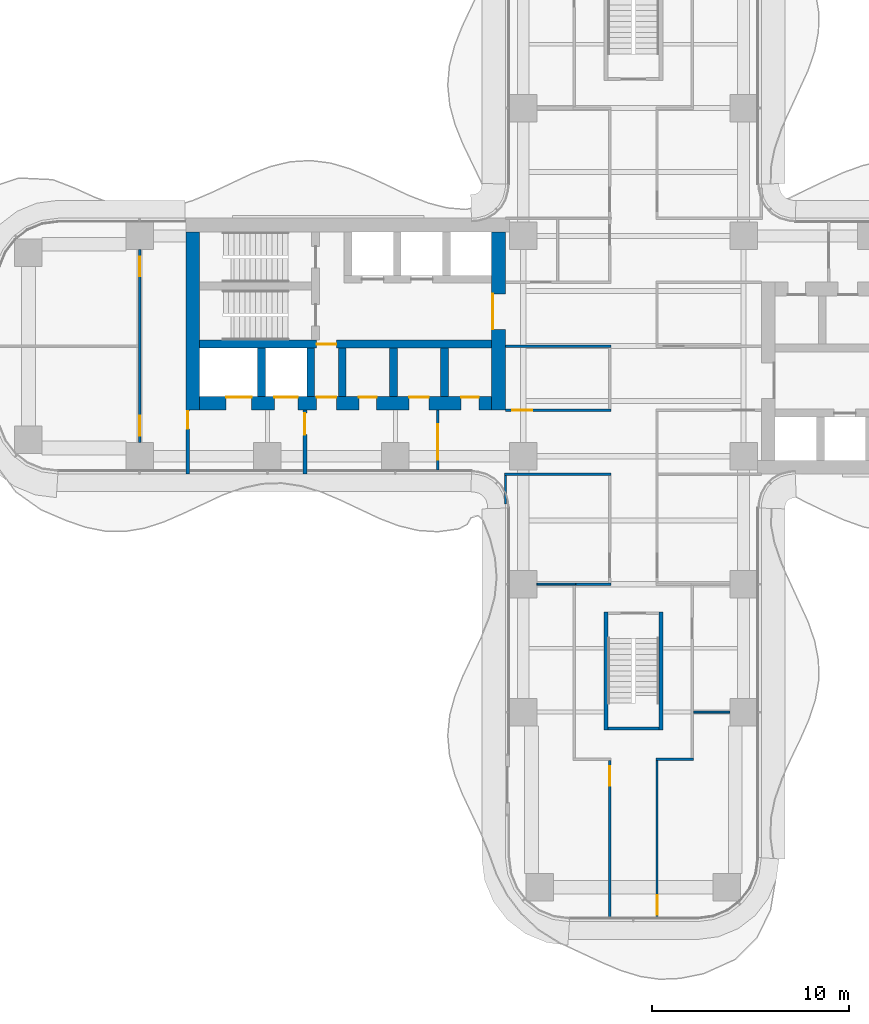
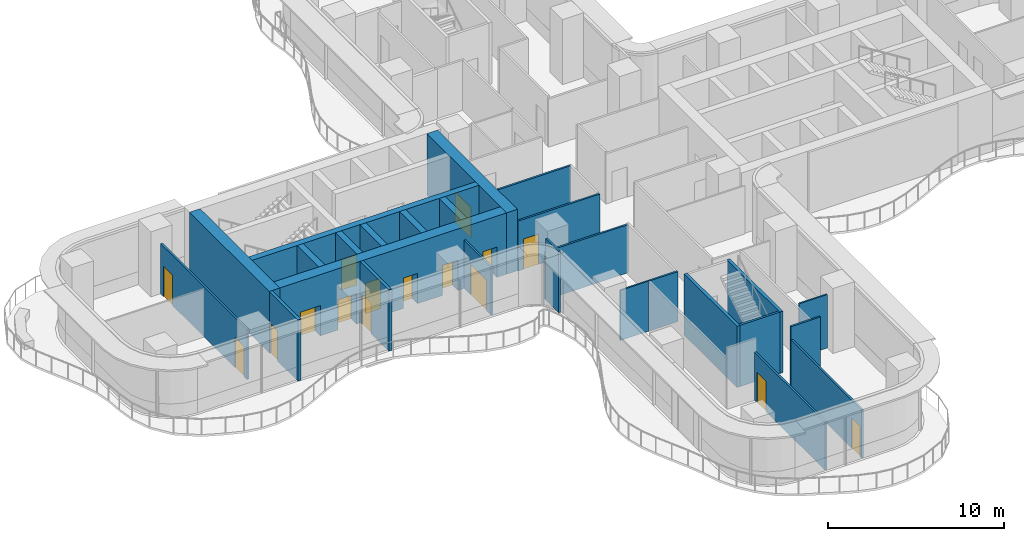
# One storey, part 17 of 22: 26 walls, 16 doors, 16 openings.
"""IFC4 building model written with IfcOpenShell, lengths in metres."""

from ifc_helpers import new_model, si_unit, direction, frame, frame_2d, origin, place, context, subcontext, project, spatial, rectangle, extrude, source, transform, mapped, material, layer, layer_set, type_object, element, fill, save


model = new_model("IFC4")

# Units and contexts
model_context = context("Model", 3, precision=1e-05, world=origin(), true_north=direction((0.0, 1.0)))
body_context = subcontext(model_context, "Body", "Model", "MODEL_VIEW")
ifc_project = project(units=[si_unit("LENGTHUNIT", "METRE"), si_unit("AREAUNIT", "SQUARE_METRE"), si_unit("VOLUMEUNIT", "CUBIC_METRE"), si_unit("PLANEANGLEUNIT", "RADIAN"), si_unit("MASSUNIT", "GRAM", prefix="KILO")], contexts=[model_context])

# Site, building, storey
site_placement = place(None, origin())
site = spatial("IfcSite", under=ifc_project, at=site_placement, CompositionType="ELEMENT")
building_placement = place(site_placement, origin())
building = spatial("IfcBuilding", under=site, at=building_placement, Name="Trellis Farm Tower", CompositionType="ELEMENT")
storey_placement = place(building_placement, frame((0.0, 0.0, 61.0)))
storey = spatial("IfcBuildingStorey", under=building, at=storey_placement, Name="L12", CompositionType="ELEMENT", Elevation=61.0)

# Wall, opening, door
ifc_material_1 = material(Name="Concrete C80/95", Category="concrete")
ifc_layer_1 = layer(ifc_material_1, 0.699951171875)
ifc_layer_set_1 = layer_set([ifc_layer_1], Name="CORE OUTER WALL 700 CONCRETE C80/95")
wall_type_1 = type_object("IfcWallType", Name="CORE OUTER WALL 700 CONCRETE C80/95", PredefinedType="SHEAR", material=ifc_layer_set_1)
shared_shape_1 = source(origin(), body_context, "Body", "SweptSolid", [
    extrude(rectangle(XDim=9.050048828125, YDim=0.699951171875, at=frame_2d((4.52490234375, 0.0))), origin(), (0.0, 0.0, 1.0), 4.25),
])
wall_1_placement = place(storey_placement, frame((-6.85009765625, 5.800048828125, 0.0), z_axis=(0.0, 0.0, 1.0), x_axis=(0.0, -1.0, 0.0)))
wall_1 = element("IfcWall", 1, at=wall_1_placement, inside=storey, type_object=wall_type_1, Name="Core wall", PredefinedType="SHEAR", context=body_context, shape_type="MappedRepresentation", body=[
    mapped(shared_shape_1, transform((0.0, 0.0, 0.0))),
])
shared_shape_2 = source(origin(), body_context, "Body", "SweptSolid", [
    extrude(rectangle(XDim=1.800048828125, YDim=2.10009765625, at=frame_2d((0.89990234375, 1.050048828125))), frame((0.0, 0.360107421875, 0.0), z_axis=(0.0, -1.0, 0.0), x_axis=(1.0, 0.0, 0.0)), (0.0, 0.0, 1.0), 0.72021484375),
])
opening_1_placement = place(wall_1_placement, frame((3.14990234375, 0.0, 0.0)))
opening_1 = element("IfcOpeningElement", 2, at=opening_1_placement, cuts=wall_1, Name="Opening DC87", PredefinedType="OPENING", context=body_context, shape_type="MappedRepresentation", body=[
    mapped(shared_shape_2, transform((0.0, 0.0, 0.0))),
])
ifc_material_2 = material(Name="Steel", Category="steel")
door_type_1 = type_object("IfcDoorType", Name="CORE FIRE DOOR DOUBLE 1800 X 2100", OperationType="DOUBLE_DOOR_SINGLE_SWING", PredefinedType="DOOR", material=ifc_material_2)
shared_shape_3 = source(origin(), body_context, "Body", "SweptSolid", [
    extrude(rectangle(XDim=1.800048828125, YDim=2.10009765625, at=frame_2d((0.89990234375, 1.050048828125))), frame((0.0, -0.27490234375, 0.0), z_axis=(0.0, -1.0, 0.0), x_axis=(1.0, 0.0, 0.0)), (0.0, 0.0, 1.0), 0.050048828125),
])
door_1_placement = place(opening_1_placement, origin())
door_1 = element("IfcDoor", 3, at=door_1_placement, inside=storey, type_object=door_type_1, Name="Core door", OperationType="DOUBLE_DOOR_SINGLE_SWING", OverallHeight=2.10009765625, OverallWidth=1.800048828125, PredefinedType="DOOR", context=body_context, shape_type="MappedRepresentation", body=[
    mapped(shared_shape_3, transform((0.0, 0.0, 0.0))),
])
fill(opening_1, door_1)

# Walls
wall_2_placement = place(storey_placement, frame((-22.39990234375, 5.800048828125, 0.0), z_axis=(0.0, 0.0, 1.0), x_axis=(0.0, -1.0, 0.0)))
element("IfcWall", 4, at=wall_2_placement, inside=storey, type_object=wall_type_1, Name="Core wall", PredefinedType="SHEAR", context=body_context, shape_type="MappedRepresentation", body=[
    mapped(shared_shape_1, transform((0.0, 0.0, 0.0))),
])
ifc_layer_2 = layer(ifc_material_1, 0.39990234375)
ifc_layer_set_2 = layer_set([ifc_layer_2], Name="CORE INNER WALL 400 CONCRETE C80/95")
wall_type_2 = type_object("IfcWallType", Name="CORE INNER WALL 400 CONCRETE C80/95", PredefinedType="SHEAR", material=ifc_layer_set_2)
shared_shape_4 = source(origin(), body_context, "Body", "SweptSolid", [
    extrude(rectangle(XDim=2.449951171875, YDim=0.39990234375, at=frame_2d((1.22509765625, 0.0))), origin(), (0.0, 0.0, 1.0), 4.25),
])
for number, where, z_axis, x_axis, name in (
    (5, (-9.60009765625, -0.10009765625, 0.0), (0.0, 0.0, 1.0), (0.0, -1.0, 0.0), "Core wall"),
    (6, (-12.199951171875, -0.10009765625, 0.0), (0.0, 0.0, 1.0), (0.0, -1.0, 0.0), "Core wall"),
    (7, (-14.800048828125, -0.10009765625, 0.0), (0.0, 0.0, 1.0), (0.0, -1.0, 0.0), "Core wall"),
    (8, (-16.39990234375, -0.10009765625, 0.0), (0.0, 0.0, 1.0), (0.0, -1.0, 0.0), "Core wall"),
    (9, (-18.89990234375, -0.10009765625, 0.0), (0.0, 0.0, 1.0), (0.0, -1.0, 0.0), "Core wall"),
):
    element("IfcWall", number, at=place(storey_placement, frame(where, z_axis=z_axis, x_axis=x_axis)), inside=storey, type_object=wall_type_2, Name=name, PredefinedType="SHEAR", context=body_context, shape_type="MappedRepresentation", body=[
        mapped(shared_shape_4, transform((0.0, 0.0, 0.0))),
    ])

# Wall, opening, door
ifc_material_3 = material(Name="Masonry blockwork", Category="masonry")
ifc_layer_3 = layer(ifc_material_3, 0.199951171875)
ifc_layer_set_3 = layer_set([ifc_layer_3], Name="FIRE LOBBY PARTITION 200 BLOCKWORK")
wall_type_3 = type_object("IfcWallType", Name="FIRE LOBBY PARTITION 200 BLOCKWORK", PredefinedType="PARTITIONING", material=ifc_layer_set_3)
shared_shape_5 = source(origin(), body_context, "Body", "SweptSolid", [
    extrude(rectangle(XDim=3.25, YDim=0.199951171875, at=frame_2d((1.625, 0.0))), origin(), (0.0, 0.0, 1.0), 4.25),
])
wall_3_placement = place(storey_placement, frame((-16.699951171875, -3.25, 0.0), z_axis=(0.0, 0.0, 1.0), x_axis=(0.0, -1.0, 0.0)))
wall_3 = element("IfcWall", 10, at=wall_3_placement, inside=storey, type_object=wall_type_3, Name="Fire-fighting lobby partition", PredefinedType="PARTITIONING", context=body_context, shape_type="MappedRepresentation", body=[
    mapped(shared_shape_5, transform((0.0, 0.0, 0.0))),
])
shared_shape_6 = source(origin(), body_context, "Body", "SweptSolid", [
    extrude(rectangle(XDim=1.10009765625, YDim=2.10009765625, at=frame_2d((0.550048828125, 1.050048828125))), frame((0.0, 0.110107421875, 0.0), z_axis=(0.0, -1.0, 0.0), x_axis=(1.0, 0.0, 0.0)), (0.0, 0.0, 1.0), 0.22021484375),
])
opening_2_placement = place(wall_3_placement, frame((0.14990234375, 0.0, 0.0)))
opening_2 = element("IfcOpeningElement", 11, at=opening_2_placement, cuts=wall_3, Name="Opening DC93", PredefinedType="OPENING", context=body_context, shape_type="MappedRepresentation", body=[
    mapped(shared_shape_6, transform((0.0, 0.0, 0.0))),
])
door_type_2 = type_object("IfcDoorType", Name="CORE FIRE DOOR 1100 X 2100", OperationType="NOTDEFINED", PredefinedType="DOOR", material=ifc_material_2)
shared_shape_7 = source(origin(), body_context, "Body", "SweptSolid", [
    extrude(rectangle(XDim=1.10009765625, YDim=2.10009765625, at=frame_2d((0.550048828125, 1.050048828125))), frame((0.0, 0.02490234375, 0.0), z_axis=(0.0, -1.0, 0.0), x_axis=(1.0, 0.0, 0.0)), (0.0, 0.0, 1.0), 0.050048828125),
])
door_2_placement = place(opening_2_placement, origin())
door_2 = element("IfcDoor", 12, at=door_2_placement, inside=storey, type_object=door_type_2, Name="Core door", OperationType="SINGLE_SWING_RIGHT", OverallHeight=2.10009765625, OverallWidth=1.10009765625, PredefinedType="DOOR", context=body_context, shape_type="MappedRepresentation", body=[
    mapped(shared_shape_7, transform((0.0, 0.0, 0.0))),
])
fill(opening_2, door_2)

wall_4_placement = place(storey_placement, frame((-22.64990234375, -3.25, 0.0), z_axis=(0.0, 0.0, 1.0), x_axis=(0.0, -1.0, 0.0)))
wall_4 = element("IfcWall", 13, at=wall_4_placement, inside=storey, type_object=wall_type_3, Name="Fire-fighting lobby partition", PredefinedType="PARTITIONING", context=body_context, shape_type="MappedRepresentation", body=[
    mapped(shared_shape_5, transform((0.0, 0.0, 0.0))),
])
shared_shape_8 = source(origin(), body_context, "Body", "SweptSolid", [
    extrude(rectangle(XDim=0.89990234375, YDim=2.10009765625, at=frame_2d((0.449951171875, 1.050048828125))), frame((0.0, 0.110107421875, 0.0), z_axis=(0.0, -1.0, 0.0), x_axis=(1.0, 0.0, 0.0)), (0.0, 0.0, 1.0), 0.22021484375),
])
opening_3_placement = place(wall_4_placement, frame((0.050048828125, 0.0, 0.0)))
opening_3 = element("IfcOpeningElement", 14, at=opening_3_placement, cuts=wall_4, Name="Opening DC94", PredefinedType="OPENING", context=body_context, shape_type="MappedRepresentation", body=[
    mapped(shared_shape_8, transform((0.0, 0.0, 0.0))),
])
door_type_3 = type_object("IfcDoorType", Name="CORE FIRE DOOR 900 X 2100", OperationType="NOTDEFINED", PredefinedType="DOOR", material=ifc_material_2)
shared_shape_9 = source(origin(), body_context, "Body", "SweptSolid", [
    extrude(rectangle(XDim=0.89990234375, YDim=2.10009765625, at=frame_2d((0.449951171875, 1.050048828125))), frame((0.0, 0.02490234375, 0.0), z_axis=(0.0, -1.0, 0.0), x_axis=(1.0, 0.0, 0.0)), (0.0, 0.0, 1.0), 0.050048828125),
])
door_3_placement = place(opening_3_placement, origin())
door_3 = element("IfcDoor", 15, at=door_3_placement, inside=storey, type_object=door_type_3, Name="Core door", OperationType="SINGLE_SWING_RIGHT", OverallHeight=2.10009765625, OverallWidth=0.89990234375, PredefinedType="DOOR", context=body_context, shape_type="MappedRepresentation", body=[
    mapped(shared_shape_9, transform((0.0, 0.0, 0.0))),
])
fill(opening_3, door_3)

# Wall, openings, doors
shared_shape_10 = source(origin(), body_context, "Body", "SweptSolid", [
    extrude(rectangle(XDim=14.85009765625, YDim=0.699951171875, at=frame_2d((7.425048828125, 0.0))), origin(), (0.0, 0.0, 1.0), 4.25),
])
wall_5_placement = place(storey_placement, frame((-7.199951171875, -2.89990234375, 0.0), z_axis=(0.0, 0.0, 1.0), x_axis=(-1.0, 0.0, 0.0)))
wall_5 = element("IfcWall", 16, at=wall_5_placement, inside=storey, type_object=wall_type_1, Name="Core wall", PredefinedType="SHEAR", context=body_context, shape_type="MappedRepresentation", body=[
    mapped(shared_shape_10, transform((0.0, 0.0, 0.0))),
])
shared_shape_11 = source(origin(), body_context, "Body", "SweptSolid", [
    extrude(rectangle(XDim=1.300048828125, YDim=2.10009765625, at=frame_2d((0.64990234375, 1.050048828125))), frame((0.0, 0.360107421875, 0.0), z_axis=(0.0, -1.0, 0.0), x_axis=(1.0, 0.0, 0.0)), (0.0, 0.0, 1.0), 0.72021484375),
])
opening_4_placement = place(wall_5_placement, frame((12.199951171875, 0.0, 0.0)))
opening_4 = element("IfcOpeningElement", 17, at=opening_4_placement, cuts=wall_5, Name="Opening LD15", PredefinedType="OPENING", context=body_context, shape_type="MappedRepresentation", body=[
    mapped(shared_shape_11, transform((0.0, 0.0, 0.0))),
])
shared_shape_12 = source(origin(), body_context, "Body", "SweptSolid", [
    extrude(rectangle(XDim=1.199951171875, YDim=2.10009765625, at=frame_2d((0.60009765625, 1.050048828125))), frame((0.0, 0.360107421875, 0.0), z_axis=(0.0, -1.0, 0.0), x_axis=(1.0, 0.0, 0.0)), (0.0, 0.0, 1.0), 0.72021484375),
])
opening_5_placement = place(wall_5_placement, frame((9.85009765625, 0.0, 0.0)))
opening_5 = element("IfcOpeningElement", 18, at=opening_5_placement, cuts=wall_5, Name="Opening LD16", PredefinedType="OPENING", context=body_context, shape_type="MappedRepresentation", body=[
    mapped(shared_shape_12, transform((0.0, 0.0, 0.0))),
])
shared_shape_13 = source(origin(), body_context, "Body", "SweptSolid", [
    extrude(rectangle(XDim=1.0, YDim=2.10009765625, at=frame_2d((0.5, 1.050048828125))), frame((0.0, 0.360107421875, 0.0), z_axis=(0.0, -1.0, 0.0), x_axis=(1.0, 0.0, 0.0)), (0.0, 0.0, 1.0), 0.72021484375),
])
opening_6_placement = place(wall_5_placement, frame((7.89990234375, 0.0, 0.0)))
opening_6 = element("IfcOpeningElement", 19, at=opening_6_placement, cuts=wall_5, Name="Opening DC92", PredefinedType="OPENING", context=body_context, shape_type="MappedRepresentation", body=[
    mapped(shared_shape_13, transform((0.0, 0.0, 0.0))),
])
shared_shape_14 = source(origin(), body_context, "Body", "SweptSolid", [
    extrude(rectangle(XDim=0.89990234375, YDim=2.10009765625, at=frame_2d((0.449951171875, 1.050048828125))), frame((0.0, 0.360107421875, 0.0), z_axis=(0.0, -1.0, 0.0), x_axis=(1.0, 0.0, 0.0)), (0.0, 0.0, 1.0), 0.72021484375),
])
opening_7_placement = place(wall_5_placement, frame((0.64990234375, 0.0, 0.0)))
opening_7 = element("IfcOpeningElement", 20, at=opening_7_placement, cuts=wall_5, Name="Opening DC97", PredefinedType="OPENING", context=body_context, shape_type="MappedRepresentation", body=[
    mapped(shared_shape_14, transform((0.0, 0.0, 0.0))),
])
opening_8_placement = place(wall_5_placement, frame((3.199951171875, 0.0, 0.0)))
opening_8 = element("IfcOpeningElement", 21, at=opening_8_placement, cuts=wall_5, Name="Opening DC112", PredefinedType="OPENING", context=body_context, shape_type="MappedRepresentation", body=[
    mapped(shared_shape_13, transform((0.0, 0.0, 0.0))),
])
opening_9_placement = place(wall_5_placement, frame((5.85009765625, 0.0, 0.0)))
opening_9 = element("IfcOpeningElement", 22, at=opening_9_placement, cuts=wall_5, Name="Opening DC121", PredefinedType="OPENING", context=body_context, shape_type="MappedRepresentation", body=[
    mapped(shared_shape_14, transform((0.0, 0.0, 0.0))),
])
door_type_4 = type_object("IfcDoorType", Name="CORE FIRE DOOR 1000 X 2100", OperationType="NOTDEFINED", PredefinedType="DOOR", material=ifc_material_2)
shared_shape_15 = source(origin(), body_context, "Body", "SweptSolid", [
    extrude(rectangle(XDim=1.0, YDim=2.10009765625, at=frame_2d((0.5, 1.050048828125))), frame((0.0, -0.27490234375, 0.0), z_axis=(0.0, -1.0, 0.0), x_axis=(1.0, 0.0, 0.0)), (0.0, 0.0, 1.0), 0.050048828125),
])
door_4_placement = place(opening_6_placement, origin())
door_4 = element("IfcDoor", 23, at=door_4_placement, inside=storey, type_object=door_type_4, Name="Core door", OperationType="SINGLE_SWING_LEFT", OverallHeight=2.10009765625, OverallWidth=1.0, PredefinedType="DOOR", context=body_context, shape_type="MappedRepresentation", body=[
    mapped(shared_shape_15, transform((0.0, 0.0, 0.0))),
])
fill(opening_6, door_4)
door_5_placement = place(opening_8_placement, origin())
door_5 = element("IfcDoor", 24, at=door_5_placement, inside=storey, type_object=door_type_4, Name="Core door", OperationType="SINGLE_SWING_RIGHT", OverallHeight=2.10009765625, OverallWidth=1.0, PredefinedType="DOOR", context=body_context, shape_type="MappedRepresentation", body=[
    mapped(shared_shape_15, transform((0.0, 0.0, 0.0))),
])
fill(opening_8, door_5)
shared_shape_16 = source(origin(), body_context, "Body", "SweptSolid", [
    extrude(rectangle(XDim=0.89990234375, YDim=2.10009765625, at=frame_2d((0.449951171875, 1.050048828125))), frame((0.0, -0.27490234375, 0.0), z_axis=(0.0, -1.0, 0.0), x_axis=(1.0, 0.0, 0.0)), (0.0, 0.0, 1.0), 0.050048828125),
])
door_6_placement = place(opening_7_placement, origin())
door_6 = element("IfcDoor", 25, at=door_6_placement, inside=storey, type_object=door_type_3, Name="Core door", OperationType="SINGLE_SWING_LEFT", OverallHeight=2.10009765625, OverallWidth=0.89990234375, PredefinedType="DOOR", context=body_context, shape_type="MappedRepresentation", body=[
    mapped(shared_shape_16, transform((0.0, 0.0, 0.0))),
])
fill(opening_7, door_6)
door_7_placement = place(opening_9_placement, origin())
door_7 = element("IfcDoor", 26, at=door_7_placement, inside=storey, type_object=door_type_3, Name="Core door", OperationType="SINGLE_SWING_LEFT", OverallHeight=2.10009765625, OverallWidth=0.89990234375, PredefinedType="DOOR", context=body_context, shape_type="MappedRepresentation", body=[
    mapped(shared_shape_16, transform((0.0, 0.0, 0.0))),
])
fill(opening_9, door_7)
ifc_material_4 = material(Name="Stainless steel", Category="steel")
door_type_5 = type_object("IfcDoorType", Name="LIFT LANDING DOOR 1300 X 2100", OperationType="DOUBLE_DOOR_SLIDING", PredefinedType="DOOR", material=ifc_material_4)
shared_shape_17 = source(origin(), body_context, "Body", "SweptSolid", [
    extrude(rectangle(XDim=1.300048828125, YDim=2.10009765625, at=frame_2d((0.64990234375, 1.050048828125))), frame((0.0, -0.27490234375, 0.0), z_axis=(0.0, -1.0, 0.0), x_axis=(1.0, 0.0, 0.0)), (0.0, 0.0, 1.0), 0.050048828125),
])
door_8_placement = place(opening_4_placement, origin())
door_8 = element("IfcDoor", 27, at=door_8_placement, inside=storey, type_object=door_type_5, Name="Lift landing door", OperationType="DOUBLE_DOOR_SLIDING", OverallHeight=2.10009765625, OverallWidth=1.300048828125, PredefinedType="DOOR", context=body_context, shape_type="MappedRepresentation", body=[
    mapped(shared_shape_17, transform((0.0, 0.0, 0.0))),
])
fill(opening_4, door_8)
door_type_6 = type_object("IfcDoorType", Name="LIFT LANDING DOOR 1200 X 2100", OperationType="DOUBLE_DOOR_SLIDING", PredefinedType="DOOR", material=ifc_material_4)
shared_shape_18 = source(origin(), body_context, "Body", "SweptSolid", [
    extrude(rectangle(XDim=1.199951171875, YDim=2.10009765625, at=frame_2d((0.60009765625, 1.050048828125))), frame((0.0, -0.27490234375, 0.0), z_axis=(0.0, -1.0, 0.0), x_axis=(1.0, 0.0, 0.0)), (0.0, 0.0, 1.0), 0.050048828125),
])
door_9_placement = place(opening_5_placement, origin())
door_9 = element("IfcDoor", 28, at=door_9_placement, inside=storey, type_object=door_type_6, Name="Lift landing door", OperationType="DOUBLE_DOOR_SLIDING", OverallHeight=2.10009765625, OverallWidth=1.199951171875, PredefinedType="DOOR", context=body_context, shape_type="MappedRepresentation", body=[
    mapped(shared_shape_18, transform((0.0, 0.0, 0.0))),
])
fill(opening_5, door_9)

# Wall, opening, door
shared_shape_19 = source(origin(), body_context, "Body", "SweptSolid", [
    extrude(rectangle(XDim=14.85009765625, YDim=0.39990234375, at=frame_2d((7.425048828125, 0.0))), origin(), (0.0, 0.0, 1.0), 4.25),
])
wall_6_placement = place(storey_placement, frame((-7.199951171875, 0.10009765625, 0.0), z_axis=(0.0, 0.0, 1.0), x_axis=(-1.0, 0.0, 0.0)))
wall_6 = element("IfcWall", 29, at=wall_6_placement, inside=storey, type_object=wall_type_2, Name="Core wall", PredefinedType="SHEAR", context=body_context, shape_type="MappedRepresentation", body=[
    mapped(shared_shape_19, transform((0.0, 0.0, 0.0))),
])
shared_shape_20 = source(origin(), body_context, "Body", "SweptSolid", [
    extrude(rectangle(XDim=1.0, YDim=2.10009765625, at=frame_2d((0.5, 1.050048828125))), frame((0.0, 0.2099609375, 0.0), z_axis=(0.0, -1.0, 0.0), x_axis=(1.0, 0.0, 0.0)), (0.0, 0.0, 1.0), 0.419921875),
])
opening_10_placement = place(wall_6_placement, frame((7.89990234375, 0.0, 0.0)))
opening_10 = element("IfcOpeningElement", 30, at=opening_10_placement, cuts=wall_6, Name="Opening DC91", PredefinedType="OPENING", context=body_context, shape_type="MappedRepresentation", body=[
    mapped(shared_shape_20, transform((0.0, 0.0, 0.0))),
])
shared_shape_21 = source(origin(), body_context, "Body", "SweptSolid", [
    extrude(rectangle(XDim=1.0, YDim=2.10009765625, at=frame_2d((0.5, 1.050048828125))), frame((0.0, 0.02490234375, 0.0), z_axis=(0.0, -1.0, 0.0), x_axis=(1.0, 0.0, 0.0)), (0.0, 0.0, 1.0), 0.050048828125),
])
door_10_placement = place(opening_10_placement, origin())
door_10 = element("IfcDoor", 31, at=door_10_placement, inside=storey, type_object=door_type_4, Name="Core door", OperationType="SINGLE_SWING_RIGHT", OverallHeight=2.10009765625, OverallWidth=1.0, PredefinedType="DOOR", context=body_context, shape_type="MappedRepresentation", body=[
    mapped(shared_shape_21, transform((0.0, 0.0, 0.0))),
])
fill(opening_10, door_10)

# Walls
ifc_layer_4 = layer(ifc_material_1, 0.199951171875)
ifc_layer_set_4 = layer_set([ifc_layer_4], Name="CORE STAIR ENCLOSURE WALL 200 CONCRETE C80/95")
wall_type_4 = type_object("IfcWallType", Name="CORE STAIR ENCLOSURE WALL 200 CONCRETE C80/95", PredefinedType="SHEAR", material=ifc_layer_set_4)
shared_shape_22 = source(origin(), body_context, "Body", "SweptSolid", [
    extrude(rectangle(XDim=6.0, YDim=0.199951171875, at=frame_2d((3.0, 0.0))), origin(), (0.0, 0.0, 1.0), 4.25),
])
for number, where, z_axis, x_axis, name in (
    (32, (1.39990234375, -13.5, 0.0), (0.0, 0.0, 1.0), (0.0, -1.0, 0.0), "Stair enclosure wall"),
    (33, (-1.39990234375, -13.5, 0.0), (0.0, 0.0, 1.0), (0.0, -1.0, 0.0), "Stair enclosure wall"),
):
    element("IfcWall", number, at=place(storey_placement, frame(where, z_axis=z_axis, x_axis=x_axis)), inside=storey, type_object=wall_type_4, Name=name, PredefinedType="SHEAR", context=body_context, shape_type="MappedRepresentation", body=[
        mapped(shared_shape_22, transform((0.0, 0.0, 0.0))),
    ])
ifc_layer_5 = layer(ifc_material_1, 0.14990234375)
ifc_layer_set_5 = layer_set([ifc_layer_5], Name="CORE STAIR ENCLOSURE WALL 150 CONCRETE C80/95")
wall_type_5 = type_object("IfcWallType", Name="CORE STAIR ENCLOSURE WALL 150 CONCRETE C80/95", PredefinedType="SHEAR", material=ifc_layer_set_5)
shared_shape_23 = source(origin(), body_context, "Body", "SweptSolid", [
    extrude(rectangle(XDim=2.60009765625, YDim=0.14990234375, at=frame_2d((1.300048828125, 0.0))), origin(), (0.0, 0.0, 1.0), 4.25),
])
wall_7_placement = place(storey_placement, frame((1.300048828125, -19.425048828125, 0.0), z_axis=(0.0, 0.0, 1.0), x_axis=(-1.0, 0.0, 0.0)))
element("IfcWall", 34, at=wall_7_placement, inside=storey, type_object=wall_type_5, Name="Stair enclosure wall", PredefinedType="SHEAR", context=body_context, shape_type="MappedRepresentation", body=[
    mapped(shared_shape_23, transform((0.0, 0.0, 0.0))),
])
ifc_material_5 = material(Name="Plasterboard on steel studs, mineral wool", Category="steel")
ifc_layer_6 = layer(ifc_material_5, 0.125)
ifc_layer_set_6 = layer_set([ifc_layer_6], Name="PARTITION 125 STUD EI 60")
wall_type_6 = type_object("IfcWallType", Name="PARTITION 125 STUD EI 60", PredefinedType="PARTITIONING", material=ifc_layer_set_6)
shared_shape_24 = source(origin(), body_context, "Body", "SweptSolid", [
    extrude(rectangle(XDim=1.468994140625, YDim=0.125, at=frame_2d((0.734375, 0.0))), origin(), (0.0, 0.0, 1.0), 4.25),
])
wall_8_placement = place(storey_placement, frame((-6.5, -6.5625, 0.0), z_axis=(0.0, 0.0, 1.0), x_axis=(0.0, -1.0, 0.0)))
element("IfcWall", 35, at=wall_8_placement, inside=storey, type_object=wall_type_6, Name="Partition PW1", PredefinedType="PARTITIONING", context=body_context, shape_type="MappedRepresentation", body=[
    mapped(shared_shape_24, transform((0.0, 0.0, 0.0))),
])

# Wall, openings, doors
shared_shape_25 = source(origin(), body_context, "Body", "SweptSolid", [
    extrude(rectangle(XDim=9.7998046875, YDim=0.125, at=frame_2d((4.89990234375, 0.0))), origin(), (0.0, 0.0, 1.0), 3.4677734375),
])
wall_9_placement = place(storey_placement, frame((-25.10009765625, -4.89990234375, 0.0), z_axis=(0.0, 0.0, 1.0), x_axis=(0.0, 1.0, 0.0)))
wall_9 = element("IfcWall", 36, at=wall_9_placement, inside=storey, type_object=wall_type_6, Name="Partition PW1", PredefinedType="PARTITIONING", context=body_context, shape_type="MappedRepresentation", body=[
    mapped(shared_shape_25, transform((0.0, 0.0, 0.0))),
])
shared_shape_26 = source(origin(), body_context, "Body", "SweptSolid", [
    extrude(rectangle(XDim=1.0, YDim=2.10009765625, at=frame_2d((0.5, 1.050048828125))), frame((0.0, 0.072509765625, 0.0), z_axis=(0.0, -1.0, 0.0), x_axis=(1.0, 0.0, 0.0)), (0.0, 0.0, 1.0), 0.14501953125),
])
opening_11_placement = place(wall_9_placement, frame((0.35009765625, 0.0, 0.0)))
opening_11 = element("IfcOpeningElement", 37, at=opening_11_placement, cuts=wall_9, Name="Opening D104", PredefinedType="OPENING", context=body_context, shape_type="MappedRepresentation", body=[
    mapped(shared_shape_26, transform((0.0, 0.0, 0.0))),
])
opening_12_placement = place(wall_9_placement, frame((8.449951171875, 0.0, 0.0)))
opening_12 = element("IfcOpeningElement", 38, at=opening_12_placement, cuts=wall_9, Name="Opening D110", PredefinedType="OPENING", context=body_context, shape_type="MappedRepresentation", body=[
    mapped(shared_shape_26, transform((0.0, 0.0, 0.0))),
])
ifc_material_6 = material(Name="Fire-rated timber door leaf in a hollow metal frame", Category="wood")
door_type_7 = type_object("IfcDoorType", Name="DOOR 1000x2100 FD30S", OperationType="NOTDEFINED", PredefinedType="DOOR", material=ifc_material_6)
door_11_placement = place(opening_11_placement, origin())
door_11 = element("IfcDoor", 39, at=door_11_placement, inside=storey, type_object=door_type_7, Name="Door D104", OperationType="SINGLE_SWING_LEFT", OverallHeight=2.10009765625, OverallWidth=1.0, PredefinedType="DOOR", context=body_context, shape_type="MappedRepresentation", body=[
    mapped(shared_shape_21, transform((0.0, 0.0, 0.0))),
])
fill(opening_11, door_11)
door_12_placement = place(opening_12_placement, origin())
door_12 = element("IfcDoor", 40, at=door_12_placement, inside=storey, type_object=door_type_7, Name="Door D110", OperationType="SINGLE_SWING_RIGHT", OverallHeight=2.10009765625, OverallWidth=1.0, PredefinedType="DOOR", context=body_context, shape_type="MappedRepresentation", body=[
    mapped(shared_shape_21, transform((0.0, 0.0, 0.0))),
])
fill(opening_12, door_12)

# Wall
shared_shape_27 = source(origin(), body_context, "Body", "SweptSolid", [
    extrude(rectangle(XDim=1.925048828125, YDim=0.125, at=frame_2d((0.96240234375, 0.0))), origin(), (0.0, 0.0, 1.0), 3.4677734375),
])
wall_10_placement = place(storey_placement, frame((-3.0625, -12.10009765625, 0.0), z_axis=(0.0, 0.0, 1.0), x_axis=(1.0, 0.0, 0.0)))
element("IfcWall", 41, at=wall_10_placement, inside=storey, type_object=wall_type_6, Name="Partition PW1", PredefinedType="PARTITIONING", context=body_context, shape_type="MappedRepresentation", body=[
    mapped(shared_shape_27, transform((0.0, 0.0, 0.0))),
])

# Wall, opening, door
shared_shape_28 = source(origin(), body_context, "Body", "SweptSolid", [
    extrude(rectangle(XDim=5.362548828125, YDim=0.125, at=frame_2d((2.68115234375, 0.0))), origin(), (0.0, 0.0, 1.0), 3.4677734375),
])
wall_11_placement = place(storey_placement, frame((-1.137451171875, -3.25, 0.0), z_axis=(0.0, 0.0, 1.0), x_axis=(-1.0, 0.0, 0.0)))
wall_11 = element("IfcWall", 42, at=wall_11_placement, inside=storey, type_object=wall_type_6, Name="Partition PW1", PredefinedType="PARTITIONING", context=body_context, shape_type="MappedRepresentation", body=[
    mapped(shared_shape_28, transform((0.0, 0.0, 0.0))),
])
opening_13_placement = place(wall_11_placement, frame((4.012451171875, 0.0, 0.0)))
opening_13 = element("IfcOpeningElement", 43, at=opening_13_placement, cuts=wall_11, Name="Opening D105", PredefinedType="OPENING", context=body_context, shape_type="MappedRepresentation", body=[
    mapped(shared_shape_26, transform((0.0, 0.0, 0.0))),
])
door_13_placement = place(opening_13_placement, origin())
door_13 = element("IfcDoor", 44, at=door_13_placement, inside=storey, type_object=door_type_7, Name="Door D105", OperationType="SINGLE_SWING_RIGHT", OverallHeight=2.10009765625, OverallWidth=1.0, PredefinedType="DOOR", context=body_context, shape_type="MappedRepresentation", body=[
    mapped(shared_shape_21, transform((0.0, 0.0, 0.0))),
])
fill(opening_13, door_13)

# Walls
wall_12_placement = place(storey_placement, frame((-1.137451171875, 0.0, 0.0), z_axis=(0.0, 0.0, 1.0), x_axis=(-1.0, 0.0, 0.0)))
element("IfcWall", 45, at=wall_12_placement, inside=storey, type_object=wall_type_6, Name="Partition PW1", PredefinedType="PARTITIONING", context=body_context, shape_type="MappedRepresentation", body=[
    mapped(shared_shape_28, transform((0.0, 0.0, 0.0))),
])
shared_shape_29 = source(origin(), body_context, "Body", "SweptSolid", [
    extrude(rectangle(XDim=5.425048828125, YDim=0.125, at=frame_2d((2.71240234375, 0.0))), origin(), (0.0, 0.0, 1.0), 3.330078125),
])
wall_13_placement = place(storey_placement, frame((-1.137451171875, -6.5, 0.0), z_axis=(0.0, 0.0, 1.0), x_axis=(-1.0, 0.0, 0.0)))
element("IfcWall", 46, at=wall_13_placement, inside=storey, type_object=wall_type_6, Name="Partition PW1", PredefinedType="PARTITIONING", context=body_context, shape_type="MappedRepresentation", body=[
    mapped(shared_shape_29, transform((0.0, 0.0, 0.0))),
])
ifc_material_7 = material(Name="Plasterboard on steel studs", Category="steel")
ifc_layer_7 = layer(ifc_material_7, 0.10009765625)
ifc_layer_set_7 = layer_set([ifc_layer_7], Name="PARTITION 100 STUD EI 30")
wall_type_7 = type_object("IfcWallType", Name="PARTITION 100 STUD EI 30", PredefinedType="PARTITIONING", material=ifc_layer_set_7)
shared_shape_30 = source(origin(), body_context, "Body", "SweptSolid", [
    extrude(rectangle(XDim=1.96240234375, YDim=0.10009765625, at=frame_2d((0.981201171875, 0.0))), origin(), (0.0, 0.0, 1.0), 3.4677734375),
])
wall_14_placement = place(storey_placement, frame((-4.89990234375, -12.10009765625, 0.0), z_axis=(0.0, 0.0, 1.0), x_axis=(1.0, 0.0, 0.0)))
element("IfcWall", 47, at=wall_14_placement, inside=storey, type_object=wall_type_7, Name="Partition PW2", PredefinedType="PARTITIONING", context=body_context, shape_type="MappedRepresentation", body=[
    mapped(shared_shape_30, transform((0.0, 0.0, 0.0))),
])

# Wall, opening, door
shared_shape_31 = source(origin(), body_context, "Body", "SweptSolid", [
    extrude(rectangle(XDim=7.987548828125, YDim=0.125, at=frame_2d((3.99365234375, 0.0))), origin(), (0.0, 0.0, 1.0), 3.330078125),
])
wall_15_placement = place(storey_placement, frame((-1.199951171875, -21.0625, 0.0), z_axis=(0.0, 0.0, 1.0), x_axis=(0.0, -1.0, 0.0)))
wall_15 = element("IfcWall", 48, at=wall_15_placement, inside=storey, type_object=wall_type_6, Name="Partition PW1", PredefinedType="PARTITIONING", context=body_context, shape_type="MappedRepresentation", body=[
    mapped(shared_shape_31, transform((0.0, 0.0, 0.0))),
])
opening_14_placement = place(wall_15_placement, frame((0.28759765625, 0.0, 0.0)))
opening_14 = element("IfcOpeningElement", 49, at=opening_14_placement, cuts=wall_15, Name="Opening D102", PredefinedType="OPENING", context=body_context, shape_type="MappedRepresentation", body=[
    mapped(shared_shape_26, transform((0.0, 0.0, 0.0))),
])
door_14_placement = place(opening_14_placement, origin())
door_14 = element("IfcDoor", 50, at=door_14_placement, inside=storey, type_object=door_type_7, Name="Door D102", OperationType="SINGLE_SWING_LEFT", OverallHeight=2.10009765625, OverallWidth=1.0, PredefinedType="DOOR", context=body_context, shape_type="MappedRepresentation", body=[
    mapped(shared_shape_21, transform((0.0, 0.0, 0.0))),
])
fill(opening_14, door_14)

wall_16_placement = place(storey_placement, frame((1.199951171875, -21.0625, 0.0), z_axis=(0.0, 0.0, 1.0), x_axis=(0.0, -1.0, 0.0)))
wall_16 = element("IfcWall", 51, at=wall_16_placement, inside=storey, type_object=wall_type_6, Name="Partition PW1", PredefinedType="PARTITIONING", context=body_context, shape_type="MappedRepresentation", body=[
    mapped(shared_shape_31, transform((0.0, 0.0, 0.0))),
])
opening_15_placement = place(wall_16_placement, frame((6.83740234375, 0.0, 0.0)))
opening_15 = element("IfcOpeningElement", 52, at=opening_15_placement, cuts=wall_16, Name="Opening D101", PredefinedType="OPENING", context=body_context, shape_type="MappedRepresentation", body=[
    mapped(shared_shape_26, transform((0.0, 0.0, 0.0))),
])
door_15_placement = place(opening_15_placement, origin())
door_15 = element("IfcDoor", 53, at=door_15_placement, inside=storey, type_object=door_type_7, Name="Door D101", OperationType="SINGLE_SWING_RIGHT", OverallHeight=2.10009765625, OverallWidth=1.0, PredefinedType="DOOR", context=body_context, shape_type="MappedRepresentation", body=[
    mapped(shared_shape_21, transform((0.0, 0.0, 0.0))),
])
fill(opening_15, door_15)

# Wall
shared_shape_32 = source(origin(), body_context, "Body", "SweptSolid", [
    extrude(rectangle(XDim=1.925048828125, YDim=0.125, at=frame_2d((0.96240234375, 0.0))), origin(), (0.0, 0.0, 1.0), 4.25),
])
wall_17_placement = place(storey_placement, frame((3.0625, -21.0, 0.0), z_axis=(0.0, 0.0, 1.0), x_axis=(-1.0, 0.0, 0.0)))
element("IfcWall", 54, at=wall_17_placement, inside=storey, type_object=wall_type_6, Name="Partition PW1", PredefinedType="PARTITIONING", context=body_context, shape_type="MappedRepresentation", body=[
    mapped(shared_shape_32, transform((0.0, 0.0, 0.0))),
])

# Wall, opening, door
shared_shape_33 = source(origin(), body_context, "Body", "SweptSolid", [
    extrude(rectangle(XDim=3.050048828125, YDim=0.125, at=frame_2d((1.52490234375, 0.0))), origin(), (0.0, 0.0, 1.0), 3.330078125),
])
wall_18_placement = place(storey_placement, frame((-9.93408203125, -6.300048828125, 0.0), z_axis=(0.0, 0.0, 1.0), x_axis=(0.0, 1.0, 0.0)))
wall_18 = element("IfcWall", 55, at=wall_18_placement, inside=storey, type_object=wall_type_6, Name="Partition PW1", PredefinedType="PARTITIONING", context=body_context, shape_type="MappedRepresentation", body=[
    mapped(shared_shape_33, transform((0.0, 0.0, 0.0))),
])
shared_shape_34 = source(origin(), body_context, "Body", "SweptSolid", [
    extrude(rectangle(XDim=1.800048828125, YDim=2.10009765625, at=frame_2d((0.89990234375, 1.050048828125))), frame((0.0, 0.072509765625, 0.0), z_axis=(0.0, -1.0, 0.0), x_axis=(1.0, 0.0, 0.0)), (0.0, 0.0, 1.0), 0.14501953125),
])
opening_16_placement = place(wall_18_placement, frame((0.52490234375, 0.0, 0.0)))
opening_16 = element("IfcOpeningElement", 56, at=opening_16_placement, cuts=wall_18, Name="Opening D401", PredefinedType="OPENING", context=body_context, shape_type="MappedRepresentation", body=[
    mapped(shared_shape_34, transform((0.0, 0.0, 0.0))),
])
door_type_8 = type_object("IfcDoorType", Name="DOOR PAIR 1800x2100 FD60", OperationType="NOTDEFINED", PredefinedType="DOOR", material=ifc_material_6)
shared_shape_35 = source(origin(), body_context, "Body", "SweptSolid", [
    extrude(rectangle(XDim=1.800048828125, YDim=2.10009765625, at=frame_2d((0.89990234375, 1.050048828125))), frame((0.0, 0.02490234375, 0.0), z_axis=(0.0, -1.0, 0.0), x_axis=(1.0, 0.0, 0.0)), (0.0, 0.0, 1.0), 0.050048828125),
])
door_16_placement = place(opening_16_placement, origin())
door_16 = element("IfcDoor", 57, at=door_16_placement, inside=storey, type_object=door_type_8, Name="Door D401", OperationType="DOUBLE_DOOR_SINGLE_SWING", OverallHeight=2.10009765625, OverallWidth=1.800048828125, PredefinedType="DOOR", context=body_context, shape_type="MappedRepresentation", body=[
    mapped(shared_shape_35, transform((0.0, 0.0, 0.0))),
])
fill(opening_16, door_16)

# Wall
shared_shape_36 = source(origin(), body_context, "Body", "SweptSolid", [
    extrude(rectangle(XDim=1.83740234375, YDim=0.10009765625, at=frame_2d((0.918701171875, 0.0))), origin(), (0.0, 0.0, 1.0), 3.697021484375),
])
wall_19_placement = place(storey_placement, frame((3.0625, -18.60009765625, 0.0), z_axis=(0.0, 0.0, 1.0), x_axis=(1.0, 0.0, 0.0)))
element("IfcWall", 58, at=wall_19_placement, inside=storey, type_object=wall_type_7, Name="Partition PW2", PredefinedType="PARTITIONING", context=body_context, shape_type="MappedRepresentation", body=[
    mapped(shared_shape_36, transform((0.0, 0.0, 0.0))),
])

save(model, "model.ifc")
